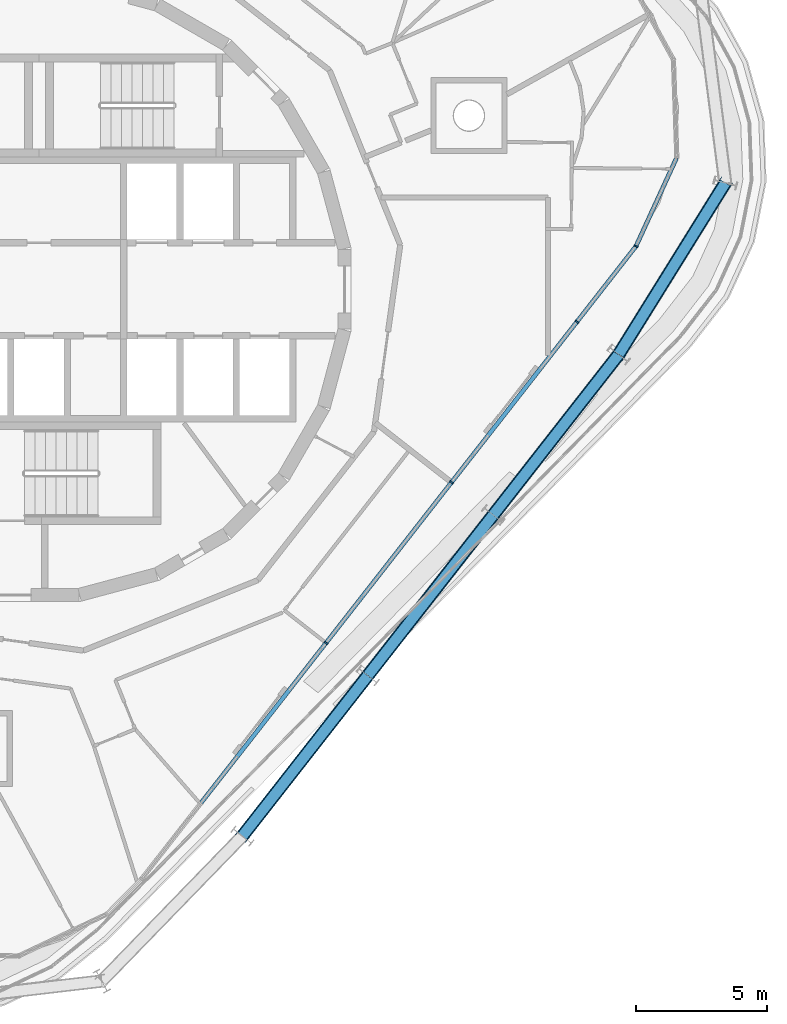
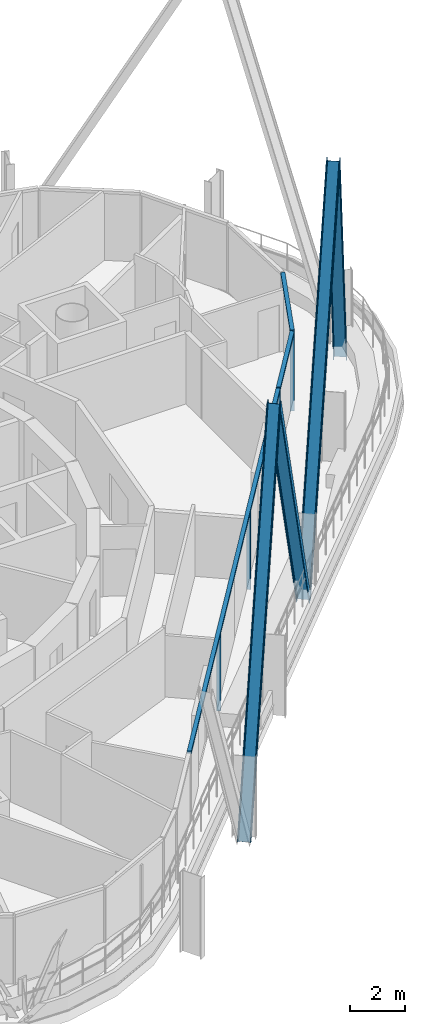
# One storey, part 4 of 17: 11 members, 2 elements without a shape of their own.
"""IFC4 building model written with IfcOpenShell, lengths in metres."""

import ifcopenshell
import ifcopenshell.guid

model = None  # the IFC model being written
_history = None  # IfcOwnerHistory: only IFC2X3 demands one
_inside = {}  # id of a spatial element -> (the spatial element, [elements in it])
_under = {}  # id of a project, library or spatial element -> (it, [spatial elements below it])
_declared = {}  # id of a project -> (the project, [libraries it declares])
_typed = {}  # id of a type object -> (the type object, [elements of that type])
_made_of = {}  # id of a material, layer set ... -> (it, [elements and type objects made of it])


def new_model(schema):
    """Start an empty IFC model of exactly this schema.

    Asked for "IFC4X3", IfcOpenShell would pick the latest addendum, in which some entities
    have other attributes; the version numbers below select the first issue.
    IFC2X3 requires an IfcOwnerHistory on every rooted entity: one is made here for all.
    """
    global model, _history
    if schema == "IFC4X3":
        model = ifcopenshell.file(schema_version=(4, 3, 0, 0))
    else:
        model = ifcopenshell.file(schema=schema)
    _inside.clear()
    _under.clear()
    _declared.clear()
    _typed.clear()
    _made_of.clear()
    _history = None
    if model.schema == "IFC2X3":
        org = make("IfcOrganization", Name="unknown")
        user = make(
            "IfcPersonAndOrganization",
            ThePerson=make("IfcPerson", FamilyName="unknown"),
            TheOrganization=org,
        )
        app = make(
            "IfcApplication",
            ApplicationDeveloper=org,
            Version="unknown",
            ApplicationFullName="unknown",
            ApplicationIdentifier="unknown",
        )
        _history = make(
            "IfcOwnerHistory",
            OwningUser=user,
            OwningApplication=app,
            ChangeAction="ADDED",
            CreationDate=0,
        )
    return model


def make(cls, **values):
    """One entity of the class cls with the attributes given. An attribute that is None is left unset."""
    return model.create_entity(
        cls, **{name: value for name, value in values.items() if value is not None}
    )


def rooted(cls, **values):
    """An entity with a GlobalId (a new one), such as an element, a storey or a relation."""
    return make(cls, GlobalId=ifcopenshell.guid.new(), OwnerHistory=_history, **values)


def si_unit(unit_type, name, prefix=None):
    """IfcSIUnit, for example si_unit("LENGTHUNIT", "METRE", prefix="MILLI")."""
    return make("IfcSIUnit", UnitType=unit_type, Prefix=prefix, Name=name)


def assignment(units):
    """IfcUnitAssignment: the units of a project."""
    return None if units is None else make("IfcUnitAssignment", Units=units)


def point(xyz):
    """IfcCartesianPoint."""
    return None if xyz is None else make("IfcCartesianPoint", Coordinates=xyz)


def direction(xyz):
    """IfcDirection."""
    return None if xyz is None else make("IfcDirection", DirectionRatios=xyz)


def frame(location, z_axis=None, x_axis=None):
    """IfcAxis2Placement3D, a coordinate frame: its origin and axes. An axis left out is left unset."""
    return make(
        "IfcAxis2Placement3D",
        Location=point(location),
        Axis=direction(z_axis),
        RefDirection=direction(x_axis),
    )


def frame_2d(location, x_axis=None):
    """IfcAxis2Placement2D, a coordinate frame in the plane: its origin and x axis."""
    return make(
        "IfcAxis2Placement2D", Location=point(location), RefDirection=direction(x_axis)
    )


def origin():
    """The frame at (0, 0, 0) with its axes left unset."""
    return frame((0.0, 0.0, 0.0))


def origin_2d():
    """The frame at (0, 0) in the plane with its x axis left unset."""
    return frame_2d((0.0, 0.0))


def place(relative_to, where):
    """IfcLocalPlacement: puts the frame where relative to a parent placement (None: the world)."""
    return make(
        "IfcLocalPlacement", PlacementRelTo=relative_to, RelativePlacement=where
    )


def context(
    kind, dimensions, precision=None, world=None, true_north=None, identifier=None
):
    """IfcGeometricRepresentationContext, for example the 3D "Model" context."""
    return make(
        "IfcGeometricRepresentationContext",
        ContextIdentifier=identifier,
        ContextType=kind,
        CoordinateSpaceDimension=dimensions,
        Precision=precision,
        WorldCoordinateSystem=world,
        TrueNorth=true_north,
    )


def subcontext(parent, identifier, kind, view, scale=None):
    """IfcGeometricRepresentationSubContext, for example "Body" below "Model"."""
    return make(
        "IfcGeometricRepresentationSubContext",
        ContextIdentifier=identifier,
        ContextType=kind,
        ParentContext=parent,
        TargetScale=scale,
        TargetView=view,
    )


def project(units=None, contexts=None):
    """IfcProject with its units and contexts."""
    return rooted(
        "IfcProject",
        Name="project",
        RepresentationContexts=contexts,
        UnitsInContext=assignment(units),
    )


def spatial(cls, under=None, at=None, **own):
    """A site, building, storey or space (cls), placed at a placement, below another one or the project."""
    s = rooted(cls, ObjectPlacement=at, **own)
    if under is not None:
        _under.setdefault(under.id(), (under, []))[1].append(s)
    return s


def profile(cls, at=None, kind="AREA", **sizes):
    """A parametric profile (cls). Its sizes go by their IFC names, for example OverallWidth=200.0."""
    return make(cls, ProfileType=kind, Position=at, **sizes)


def rectangle(**sizes):
    """IfcRectangleProfileDef."""
    return profile("IfcRectangleProfileDef", **sizes)


def i_section(**sizes):
    """IfcIShapeProfileDef."""
    return profile("IfcIShapeProfileDef", **sizes)


def extrude(swept, where, along, depth):
    """IfcExtrudedAreaSolid: the profile swept, set in the frame where, extruded along a direction by depth."""
    return make(
        "IfcExtrudedAreaSolid",
        SweptArea=swept,
        Position=where,
        ExtrudedDirection=direction(along),
        Depth=depth,
    )


def shape(context_of_items, identifier, shape_type, items):
    """IfcShapeRepresentation: the items that make up one representation, for example the "Body"."""
    return make(
        "IfcShapeRepresentation",
        ContextOfItems=context_of_items,
        RepresentationIdentifier=identifier,
        RepresentationType=shape_type,
        Items=items,
    )


def material(Name=None, Category=None):
    """IfcMaterial."""
    return make("IfcMaterial", Name=Name, Category=Category)


def layer(
    of_material, thickness, ventilated=None, Name=None, Category=None, Priority=None
):
    """IfcMaterialLayer: one layer of a wall or slab, of a material (None: an air gap)."""
    return make(
        "IfcMaterialLayer",
        Material=of_material,
        LayerThickness=thickness,
        IsVentilated=ventilated,
        Name=Name,
        Category=Category,
        Priority=Priority,
    )


def layer_set(layers, Name=None):
    """IfcMaterialLayerSet."""
    return make("IfcMaterialLayerSet", MaterialLayers=layers, LayerSetName=Name)


def material_profile(
    of_material, cross_section, Name=None, Category=None, Priority=None
):
    """IfcMaterialProfile: a cross section and its material."""
    return make(
        "IfcMaterialProfile",
        Name=Name,
        Material=of_material,
        Profile=cross_section,
        Priority=Priority,
        Category=Category,
    )


def profile_set(profiles, Name=None, composite=None):
    """IfcMaterialProfileSet."""
    return make(
        "IfcMaterialProfileSet",
        Name=Name,
        MaterialProfiles=profiles,
        CompositeProfile=composite,
    )


def made_of(thing, what):
    """Note that an element or type object is made of a material, layer set ...; save() writes the relation."""
    if what is not None:
        _made_of.setdefault(what.id(), (what, []))[1].append(thing)
    return thing


def type_object(cls, material=None, **own):
    """A type object (cls), such as IfcWallType, which elements share."""
    return made_of(rooted(cls, **own), material)


def element(
    cls,
    number,
    at=None,
    inside=None,
    cuts=None,
    type_object=None,
    material=None,
    context=None,
    identifier="Body",
    shape_type=None,
    held_by="IfcProductDefinitionShape",
    body=None,
    shapes=None,
    **own,
):
    """One element of the class cls, such as IfcWall. Its Tag is "e" and its number.

    at: its placement. inside: the storey or other place that contains it. cuts: it is an
    opening in that element (IfcRelVoidsElement). A single representation is given by context,
    identifier, shape_type and body (its items); several are given by shapes. held_by: the class
    of the entity that holds the representations. save() writes the other relations.
    """
    e = rooted(cls, Tag="e%d" % number, ObjectPlacement=at, **own)
    if body is not None:
        shapes = [shape(context, identifier, shape_type, body)]
    if shapes is not None:
        e.Representation = make(held_by, Representations=shapes)
    if inside is not None:
        _inside.setdefault(inside.id(), (inside, []))[1].append(e)
    if cuts is not None:
        rooted(
            "IfcRelVoidsElement", RelatingBuildingElement=cuts, RelatedOpeningElement=e
        )
    if type_object is not None:
        _typed.setdefault(type_object.id(), (type_object, []))[1].append(e)
    return made_of(e, material)


def aggregate(whole, parts):
    """IfcRelAggregates: a whole, such as a stair, and the parts it consists of."""
    return rooted("IfcRelAggregates", RelatingObject=whole, RelatedObjects=parts)


def save(model, path):
    """Write the relations noted so far, then the file.

    IfcRelAggregates (storeys below a building ...), IfcRelContainedInSpatialStructure (elements
    in a storey), IfcRelDefinesByType, IfcRelAssociatesMaterial and IfcRelDeclares: one each for
    every whole, place, type object, material and project.
    """
    for whole, parts in _under.values():
        aggregate(whole, parts)
    for where, things in _inside.values():
        rooted(
            "IfcRelContainedInSpatialStructure",
            RelatedElements=things,
            RelatingStructure=where,
        )
    for kind, things in _typed.values():
        rooted("IfcRelDefinesByType", RelatedObjects=things, RelatingType=kind)
    for what, things in _made_of.values():
        rooted("IfcRelAssociatesMaterial", RelatedObjects=things, RelatingMaterial=what)
    for by, libraries in _declared.values():
        rooted("IfcRelDeclares", RelatingContext=by, RelatedDefinitions=libraries)
    model.write(path)


model = new_model("IFC4")

# Units and contexts
model_context = context("Model", 3, precision=1e-05, world=origin(), true_north=direction((0.0, 1.0)))
body_context = subcontext(model_context, "Body", "Model", "MODEL_VIEW")
ifc_project = project(units=[si_unit("LENGTHUNIT", "METRE"), si_unit("AREAUNIT", "SQUARE_METRE"), si_unit("VOLUMEUNIT", "CUBIC_METRE"), si_unit("PLANEANGLEUNIT", "RADIAN"), si_unit("MASSUNIT", "GRAM", prefix="KILO")], contexts=[model_context])

# Site, building, storey
site_placement = place(None, origin())
site = spatial("IfcSite", under=ifc_project, at=site_placement, CompositionType="ELEMENT")
building_placement = place(site_placement, origin())
building = spatial("IfcBuilding", under=site, at=building_placement, Name="Spindle Arch Residences", CompositionType="ELEMENT")
storey_placement = place(building_placement, frame((0.0, 0.0, 333.0)))
storey = spatial("IfcBuildingStorey", under=building, at=storey_placement, Name="L85", CompositionType="ELEMENT", Elevation=333.0)

# Curtain wall, members
ifc_material_1 = material(Name="Aluminium bronze unitised frame with tinted glass", Category="aluminium")
ifc_layer_1 = layer(ifc_material_1, 0.159912109375)
ifc_layer_set_1 = layer_set([ifc_layer_1], Name="CW-D corner wall on the fillet arcs")
curtain_wall_type_1 = type_object("IfcCurtainWallType", Name="CW-D corner wall on the fillet arcs", PredefinedType="NOTDEFINED", material=ifc_layer_set_1)
curtain_wall_1_placement = place(storey_placement, origin())
curtain_wall_1 = element("IfcCurtainWall", 1, at=curtain_wall_1_placement, inside=storey, type_object=curtain_wall_type_1, Name="CW-D L85 run 1", PredefinedType="NOTDEFINED")
ifc_material_2 = material(Name="Aluminium bronze anodised mullion", Category="aluminium")
ifc_material_profile_1 = material_profile(ifc_material_2, rectangle(XDim=0.159912109375, YDim=0.06005859375, at=origin_2d()), Name="MU 60x160")
ifc_profile_set_1 = profile_set([ifc_material_profile_1], Name="Aluminium bronze anodised mullion")
member_type_1 = type_object("IfcMemberType", Name="Bronze mullion 60x160", PredefinedType="MULLION", material=ifc_profile_set_1)
member_1_placement = place(storey_placement, frame((20.50341796875, -1.237060546875, -0.449951171875), z_axis=(0.0, 0.0, 1.0), x_axis=(-0.788010753607, 0.615661475326, 0.0)))
member_1 = element("IfcMember", 2, at=member_1_placement, type_object=member_type_1, Name="CW-D mullion 00", PredefinedType="MULLION", context=body_context, shape_type="SweptSolid", body=[
    extrude(rectangle(XDim=0.159912109375, YDim=0.06005859375, at=origin_2d()), origin(), (0.0, 0.0, 1.0), 3.449951171875),
])
member_2_placement = place(storey_placement, frame((22.7568359375, 1.647216796875, -0.449951171875), z_axis=(0.0, 0.0, 1.0), x_axis=(-0.908751129947, 0.417338452362, 0.0)))
member_2 = element("IfcMember", 3, at=member_2_placement, type_object=member_type_1, Name="CW-D mullion 01", PredefinedType="MULLION", context=body_context, shape_type="SweptSolid", body=[
    extrude(rectangle(XDim=0.159912109375, YDim=0.06005859375, at=origin_2d()), origin(), (0.0, 0.0, 1.0), 3.449951171875),
])

ifc_material_3 = material(Name="Aluminium bronze unitised frame with tinted glass", Category="aluminium")
ifc_layer_2 = layer(ifc_material_3, 0.159912109375)
ifc_layer_set_2 = layer_set([ifc_layer_2], Name="CW-C typical residential unitised wall")
curtain_wall_type_2 = type_object("IfcCurtainWallType", Name="CW-C typical residential unitised wall", PredefinedType="NOTDEFINED", material=ifc_layer_set_2)
curtain_wall_2_placement = place(storey_placement, origin())
curtain_wall_2 = element("IfcCurtainWall", 4, at=curtain_wall_2_placement, inside=storey, type_object=curtain_wall_type_2, Name="CW-C L85 run 6", PredefinedType="NOTDEFINED")
member_3_placement = place(storey_placement, frame((10.94140625, -13.4755859375, -0.449951171875), z_axis=(0.0, 0.0, 1.0), x_axis=(-0.788010753607, 0.615661475326, 0.0)))
member_3 = element("IfcMember", 5, at=member_3_placement, type_object=member_type_1, Name="CW-C mullion 19", PredefinedType="MULLION", context=body_context, shape_type="SweptSolid", body=[
    extrude(rectangle(XDim=0.159912109375, YDim=0.06005859375, at=origin_2d()), origin(), (0.0, 0.0, 1.0), 3.449951171875),
])
member_4_placement = place(storey_placement, frame((15.722412109375, -7.3564453125, -0.449951171875), z_axis=(0.0, 0.0, 1.0), x_axis=(-0.788010753607, 0.615661475326, 0.0)))
member_4 = element("IfcMember", 6, at=member_4_placement, type_object=member_type_1, Name="CW-C mullion 00", PredefinedType="MULLION", context=body_context, shape_type="SweptSolid", body=[
    extrude(rectangle(XDim=0.159912109375, YDim=0.06005859375, at=origin_2d()), origin(), (0.0, 0.0, 1.0), 3.449951171875),
])

# Member
ifc_material_4 = material(Name="Aluminium bronze anodised transom", Category="aluminium")
ifc_material_profile_2 = material_profile(ifc_material_4, rectangle(XDim=0.159912109375, YDim=0.1201171875, at=origin_2d()), Name="TR 120x160")
ifc_profile_set_2 = profile_set([ifc_material_profile_2], Name="Aluminium bronze anodised transom")
member_type_2 = type_object("IfcMemberType", Name="Bronze transom 120x160", PredefinedType="USERDEFINED", material=ifc_profile_set_2)
member_5_placement = place(storey_placement, frame((20.521728515625, -1.21337890625, 3.06005859375), z_axis=(0.615647989673, 0.788021289568, 0.0), x_axis=(-0.788021289568, 0.615647989673, 0.0)))
member_5 = element("IfcMember", 7, at=member_5_placement, type_object=member_type_2, Name="CW-D transom 00", ObjectType="TRANSOM", PredefinedType="USERDEFINED", context=body_context, shape_type="SweptSolid", body=[
    extrude(rectangle(XDim=0.159912109375, YDim=0.1201171875, at=origin_2d()), origin(), (0.0, 0.0, 1.0), 3.600341796875),
])

member_6_placement = place(storey_placement, frame((22.769287109375, 1.674560546875, 3.06005859375), z_axis=(0.417326323855, 0.908756699792, 0.0), x_axis=(-0.908756699792, 0.417326323855, 0.0)))
member_6 = element("IfcMember", 8, at=member_6_placement, type_object=member_type_2, Name="CW-D transom 01", ObjectType="TRANSOM", PredefinedType="USERDEFINED", context=body_context, shape_type="SweptSolid", body=[
    extrude(rectangle(XDim=0.159912109375, YDim=0.1201171875, at=origin_2d()), origin(), (0.0, 0.0, 1.0), 3.666748046875),
])

aggregate(curtain_wall_1, [member_1, member_5, member_2, member_6])

member_7_placement = place(storey_placement, frame((6.178955078125, -19.571533203125, 3.06005859375), z_axis=(0.615655051857, 0.788015772128, 0.0), x_axis=(-0.788015772128, 0.615655051857, 0.0)))
member_7 = element("IfcMember", 9, at=member_7_placement, type_object=member_type_2, Name="CW-C transom 00", ObjectType="TRANSOM", PredefinedType="USERDEFINED", context=body_context, shape_type="SweptSolid", body=[
    extrude(rectangle(XDim=0.159912109375, YDim=0.1201171875, at=origin_2d()), origin(), (0.0, 0.0, 1.0), 23.23681640625),
])

aggregate(curtain_wall_2, [member_7, member_3, member_4])

# Members
ifc_material_5 = material(Name="Steel S460ML, intumescent coating R 240", Category="steel")
ifc_material_profile_3 = material_profile(ifc_material_5, i_section(OverallWidth=0.300048828125, OverallDepth=0.5, WebThickness=0.014404296875, FlangeThickness=0.028076171875, FilletRadius=0.027099609375, at=origin_2d()), Name="HEB 500")
ifc_profile_set_3 = profile_set([ifc_material_profile_3], Name="Steel S460ML, intumescent coating R 240")
member_type_3 = type_object("IfcMemberType", Name="Diagrid diagonal HEB 500", PredefinedType="BRACE", material=ifc_profile_set_3)
member_8_placement = place(storey_placement, frame((17.314208984375, -8.60009765625, -0.699951171875), z_axis=(0.297495812102, 0.380775801989, 0.875503301194), x_axis=(-0.539014949132, -0.68990500434, 0.483212137264)))
element("IfcMember", 10, at=member_8_placement, inside=storey, type_object=member_type_3, Name="Diagrid diagonal 9.1.1", PredefinedType="BRACE", context=body_context, shape_type="SweptSolid", body=[
    extrude(i_section(OverallWidth=0.300048828125, OverallDepth=0.5, WebThickness=0.014404296875, FlangeThickness=0.028076171875, FilletRadius=0.027099609375, at=origin_2d()), origin(), (0.0, 0.0, 1.0), 16.07080078125),
])
member_9_placement = place(storey_placement, frame((26.15869140625, 4.05712890625, -0.699951171875), z_axis=(-0.253363278057, -0.407643308285, 0.877287856147), x_axis=(0.463101918214, 0.745097708955, 0.479964600213)))
element("IfcMember", 11, at=member_9_placement, inside=storey, type_object=member_type_3, Name="Diagrid diagonal 9.1.2", PredefinedType="BRACE", context=body_context, shape_type="SweptSolid", body=[
    extrude(i_section(OverallWidth=0.300048828125, OverallDepth=0.5, WebThickness=0.014404296875, FlangeThickness=0.028076171875, FilletRadius=0.027099609375, at=origin_2d()), origin(), (0.0, 0.0, 1.0), 16.0380859375),
])
for number, where, z_axis, x_axis, name in (
    (12, (7.752197265625, -20.838623046875, -0.699951171875), (0.297495812102, 0.380775801989, 0.875503301194), (-0.539014949132, -0.68990500434, 0.483212137264), "Diagrid diagonal 9.1.19"),
    (13, (17.314208984375, -8.60009765625, -0.699951171875), (-0.297497532968, -0.380762812966, 0.875508365546), (0.539031420904, 0.689898561688, 0.483202961352), "Diagrid diagonal 9.1.20"),
):
    element("IfcMember", number, at=place(storey_placement, frame(where, z_axis=z_axis, x_axis=x_axis)), inside=storey, type_object=member_type_3, Name=name, PredefinedType="BRACE", context=body_context, shape_type="SweptSolid", body=[
        extrude(i_section(OverallWidth=0.300048828125, OverallDepth=0.5, WebThickness=0.014404296875, FlangeThickness=0.028076171875, FilletRadius=0.027099609375, at=origin_2d()), origin(), (0.0, 0.0, 1.0), 16.07080078125),
    ])

save(model, "model.ifc")
